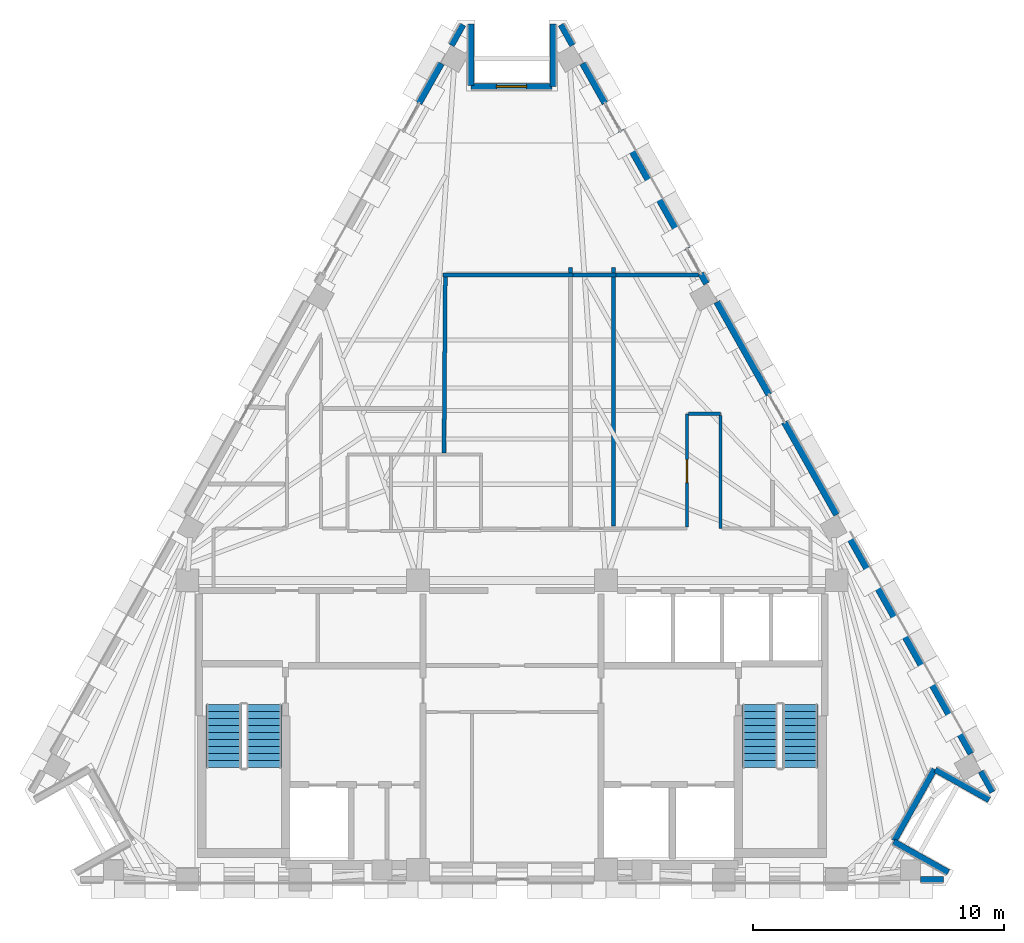
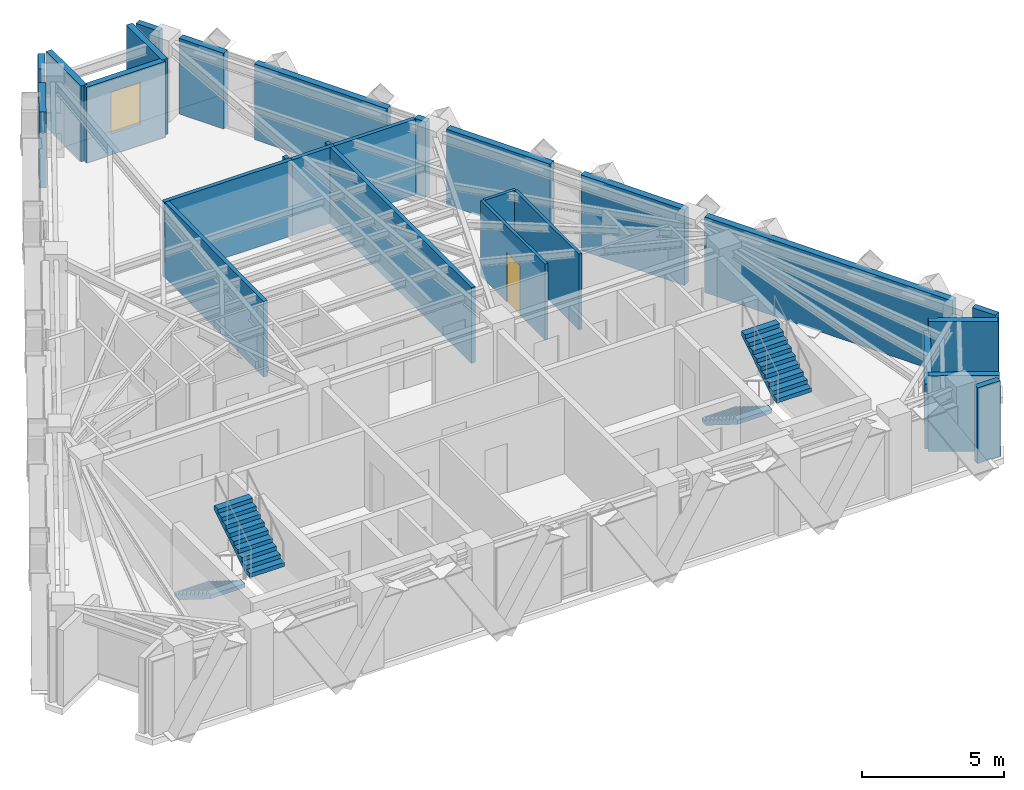
# One storey, part 7 of 9: 27 walls, 4 stair flights, 1 door, 1 window, 2 openings, 2 elements without a shape of their own.
"""IFC4 building model written with IfcOpenShell, lengths in metres."""

from ifc_helpers import new_model, si_unit, direction, frame, frame_2d, origin, place, context, subcontext, project, spatial, polyline, rectangle, outline, extrude, material, layer, layer_set, type_object, element, fill, aggregate, save


model = new_model("IFC4")

# Units and contexts
model_context = context("Model", 3, precision=1e-05, world=origin(), true_north=direction((0.0, 1.0)))
body_context = subcontext(model_context, "Body", "Model", "MODEL_VIEW")
ifc_project = project(units=[si_unit("LENGTHUNIT", "METRE"), si_unit("AREAUNIT", "SQUARE_METRE"), si_unit("VOLUMEUNIT", "CUBIC_METRE"), si_unit("PLANEANGLEUNIT", "RADIAN"), si_unit("MASSUNIT", "GRAM", prefix="KILO")], contexts=[model_context])

# Site, building, storey
site_placement = place(None, origin())
site = spatial("IfcSite", under=ifc_project, at=site_placement, CompositionType="ELEMENT")
building_placement = place(site_placement, origin())
building = spatial("IfcBuilding", under=site, at=building_placement, Name="Quenlor Broadcast Tower", CompositionType="ELEMENT")
storey_placement = place(building_placement, frame((0.0, 0.0, 249.89990234375)))
storey = spatial("IfcBuildingStorey", under=building, at=storey_placement, Name="L69", CompositionType="ELEMENT", Elevation=249.89990234375)

# Walls
ifc_material_1 = material(Name="Gypsum Fireboard Partition", Category="other")
ifc_layer_1 = layer(ifc_material_1, 0.159912109375)
ifc_layer_set_1 = layer_set([ifc_layer_1], Name="Fire Rated Shaft and Corridor Partition 160")
wall_type_1 = type_object("IfcWallType", Name="Fire Rated Shaft and Corridor Partition 160", PredefinedType="PARTITIONING", material=ifc_layer_set_1)
wall_1_placement = place(storey_placement, frame((2.427490234375, 7.389892578125, 0.0), z_axis=(0.0, 0.0, 1.0), x_axis=(-0.999999716487, 0.000753011835, 0.0)))
element("IfcWall", 1, at=wall_1_placement, inside=storey, type_object=wall_type_1, Name="L69 Interior Wall PW-DV-01", PredefinedType="PARTITIONING", context=body_context, shape_type="SweptSolid", body=[
    extrude(rectangle(XDim=5.1875, YDim=0.159912109375, at=frame_2d((2.59375, 0.0))), origin(), (0.0, 0.0, 1.0), 3.25),
])
wall_2_placement = place(storey_placement, frame((-2.66064453125, 7.3115234375, 0.0), z_axis=(0.0, 0.0, 1.0), x_axis=(-0.007477531623, -0.99997204287, 0.0)))
element("IfcWall", 2, at=wall_2_placement, inside=storey, type_object=wall_type_1, Name="L69 Interior Wall PW-DV-02", PredefinedType="PARTITIONING", context=body_context, shape_type="SweptSolid", body=[
    extrude(rectangle(XDim=7.019775390625, YDim=0.159912109375, at=frame_2d((3.509765625, 0.0))), origin(), (0.0, 0.0, 1.0), 3.25),
])
wall_3_placement = place(storey_placement, frame((4.139892578125, 7.393798828125, 0.0), z_axis=(0.0, 0.0, 1.0), x_axis=(-0.99999800286, -0.001998568457, 0.0)))
element("IfcWall", 3, at=wall_3_placement, inside=storey, type_object=wall_type_1, Name="L69 Interior Wall PW-DV-03", PredefinedType="PARTITIONING", context=body_context, shape_type="SweptSolid", body=[
    extrude(rectangle(XDim=1.710205078125, YDim=0.159912109375, at=frame_2d((0.85498046875, 0.0))), origin(), (0.0, 0.0, 1.0), 3.25),
])
wall_4_placement = place(storey_placement, frame((7.433349609375, 7.389892578125, 0.0), z_axis=(0.0, 0.0, 1.0), x_axis=(-0.999999460761, 0.001038498068, 0.0)))
element("IfcWall", 4, at=wall_4_placement, inside=storey, type_object=wall_type_1, Name="L69 Interior Wall PW-DV-04", PredefinedType="PARTITIONING", context=body_context, shape_type="SweptSolid", body=[
    extrude(rectangle(XDim=3.291259765625, YDim=0.159912109375, at=frame_2d((1.6455078125, 0.0))), origin(), (0.0, 0.0, 1.0), 3.25),
])
wall_5_placement = place(storey_placement, frame((2.32763671875, 7.679931640625, 0.0), z_axis=(0.0, 0.0, 1.0), x_axis=(0.0, -1.0, 0.0)))
element("IfcWall", 5, at=wall_5_placement, inside=storey, type_object=wall_type_1, Name="L69 Interior Wall PW-DV-07", PredefinedType="PARTITIONING", context=body_context, shape_type="SweptSolid", body=[
    extrude(rectangle(XDim=0.2080078125, YDim=0.159912109375, at=frame_2d((0.10400390625, 0.0))), origin(), (0.0, 0.0, 1.0), 3.25),
])
wall_6_placement = place(storey_placement, frame((4.0400390625, 7.679931640625, 0.0), z_axis=(0.0, 0.0, 1.0), x_axis=(0.0, -1.0, 0.0)))
element("IfcWall", 6, at=wall_6_placement, inside=storey, type_object=wall_type_1, Name="L69 Interior Wall PW-DV-09", PredefinedType="PARTITIONING", context=body_context, shape_type="SweptSolid", body=[
    extrude(rectangle(XDim=0.204345703125, YDim=0.159912109375, at=frame_2d((0.10205078125, 0.0))), origin(), (0.0, 0.0, 1.0), 3.25),
])
wall_7_placement = place(storey_placement, frame((4.0400390625, 7.3115234375, 0.0), z_axis=(0.0, 0.0, 1.0), x_axis=(0.0, -1.0, 0.0)))
element("IfcWall", 7, at=wall_7_placement, inside=storey, type_object=wall_type_1, Name="L69 Interior Wall PW-DV-09S2", PredefinedType="PARTITIONING", context=body_context, shape_type="SweptSolid", body=[
    extrude(rectangle(XDim=9.931640625, YDim=0.159912109375, at=frame_2d((4.9658203125, 0.0))), origin(), (0.0, 0.0, 1.0), 3.25),
])

# Wall, opening, door
ifc_material_2 = material(Name="Gypsum Plasterboard Partition", Category="other")
ifc_layer_2 = layer(ifc_material_2, 0.1201171875)
ifc_layer_set_2 = layer_set([ifc_layer_2], Name="Standard Office Partition 120")
wall_type_2 = type_object("IfcWallType", Name="Standard Office Partition 120", PredefinedType="PARTITIONING", material=ifc_layer_set_2)
wall_8_placement = place(storey_placement, frame((6.97998046875, -2.66796875, 0.0), z_axis=(0.0, 0.0, 1.0), x_axis=(0.0, 1.0, 0.0)))
wall_8 = element("IfcWall", 8, at=wall_8_placement, inside=storey, type_object=wall_type_2, Name="L69 Interior Wall PW-CR-09", PredefinedType="PARTITIONING", context=body_context, shape_type="SweptSolid", body=[
    extrude(rectangle(XDim=4.51806640625, YDim=0.1201171875, at=frame_2d((2.259033203125, 0.0))), origin(), (0.0, 0.0, 1.0), 3.25),
])
opening_1_placement = place(wall_8_placement, frame((1.76806640625, 0.0, 0.0)))
opening_1 = element("IfcOpeningElement", 9, at=opening_1_placement, cuts=wall_8, Name="Opening ID-1", PredefinedType="OPENING", context=body_context, shape_type="SweptSolid", body=[
    extrude(rectangle(XDim=0.919921875, YDim=2.1201171875, at=frame_2d((0.4599609375, 1.06005859375))), frame((0.0, 0.070068359375, 0.0), z_axis=(0.0, -1.0, 0.0), x_axis=(1.0, 0.0, 0.0)), (0.0, 0.0, 1.0), 0.14013671875),
])
ifc_material_3 = material(Name="Solid Core Timber Oak", Category="wood")
door_type = type_object("IfcDoorType", Name="Single Leaf Timber Office Door 920x2120", OperationType="NOTDEFINED", PredefinedType="DOOR", material=ifc_material_3)
door_placement = place(opening_1_placement, origin())
door = element("IfcDoor", 10, at=door_placement, inside=storey, type_object=door_type, Name="L69 Door DR-RM04", OperationType="SINGLE_SWING_LEFT", OverallHeight=2.1201171875, OverallWidth=0.919921875, PredefinedType="DOOR", context=body_context, shape_type="SweptSolid", body=[
    extrude(rectangle(XDim=0.919921875, YDim=2.1201171875, at=frame_2d((0.4599609375, 1.06005859375))), frame((0.0, 0.02490234375, 0.0), z_axis=(0.0, -1.0, 0.0), x_axis=(1.0, 0.0, 0.0)), (0.0, 0.0, 1.0), 0.050048828125),
])
fill(opening_1, door)

# Walls
wall_9_placement = place(storey_placement, frame((7.0419921875, 1.85009765625, 0.0), z_axis=(0.0, 0.0, 1.0), x_axis=(1.0, 0.0, 0.0)))
element("IfcWall", 11, at=wall_9_placement, inside=storey, type_object=wall_type_2, Name="L69 Interior Wall PW-CR-10", PredefinedType="PARTITIONING", context=body_context, shape_type="SweptSolid", body=[
    extrude(rectangle(XDim=1.278076171875, YDim=0.1201171875, at=frame_2d((0.63916015625, 0.0))), origin(), (0.0, 0.0, 1.0), 3.25),
])
wall_10_placement = place(storey_placement, frame((8.320068359375, 1.7880859375, 0.0), z_axis=(0.0, 0.0, 1.0), x_axis=(0.0, -1.0, 0.0)))
element("IfcWall", 12, at=wall_10_placement, inside=storey, type_object=wall_type_2, Name="L69 Interior Wall PW-CR-11", PredefinedType="PARTITIONING", context=body_context, shape_type="SweptSolid", body=[
    extrude(rectangle(XDim=4.51806640625, YDim=0.1201171875, at=frame_2d((2.259033203125, 0.0))), origin(), (0.0, 0.0, 1.0), 3.25),
])
ifc_material_4 = material(Name="Precast concrete C40/50", Category="concrete")
ifc_layer_3 = layer(ifc_material_4, 0.239990234375)
ifc_layer_set_3 = layer_set([ifc_layer_3], Name="Terrace Threshold Precast Concrete C40/50 Wall 240")
wall_type_3 = type_object("IfcWallType", Name="Terrace Threshold Precast Concrete C40/50 Wall 240", PredefinedType="STANDARD", material=ifc_layer_set_3)
wall_11_placement = place(storey_placement, frame((17.219970703125, -16.72509765625, 0.0), z_axis=(0.0, 0.0, 1.0), x_axis=(-1.0, 0.0, 0.0)))
element("IfcWall", 13, at=wall_11_placement, inside=storey, type_object=wall_type_3, Name="L69 Exterior Wall L69-SHD-SS0", PredefinedType="STANDARD", context=body_context, shape_type="SweptSolid", body=[
    extrude(rectangle(XDim=0.91748046875, YDim=0.239990234375, at=frame_2d((0.458740234375, 0.0))), origin(), (0.0, 0.0, 1.0), 3.25),
])
for number, where, z_axis, x_axis, name in (
    (14, (1.94970703125, 17.372802734375, 0.0), (0.0, 0.0, 1.0), (0.490199895283, -0.871610040479, 0.0), "L69 Exterior Wall L69-SHD-NES0"),
    (15, (18.707763671875, -12.4189453125, 0.0), (0.0, 0.0, 1.0), (0.490199895283, -0.871610040479, 0.0), "L69 Exterior Wall L69-SHD-NES1"),
    (16, (-2.412841796875, 16.54931640625, 0.0), (0.0, 0.0, 1.0), (0.490199895283, 0.871610040479, 0.0), "L69 Exterior Wall L69-SHD-NWS1"),
):
    element("IfcWall", number, at=place(storey_placement, frame(where, z_axis=z_axis, x_axis=x_axis)), inside=storey, type_object=wall_type_3, Name=name, PredefinedType="STANDARD", context=body_context, shape_type="SweptSolid", body=[
        extrude(rectangle(XDim=0.94482421875, YDim=0.239990234375, at=frame_2d((0.472412109375, 0.0))), origin(), (0.0, 0.0, 1.0), 3.25),
    ])
wall_12_placement = place(storey_placement, frame((17.40771484375, -16.446533203125, 0.0), z_axis=(0.0, 0.0, 1.0), x_axis=(-0.871588577066, 0.490238056792, 0.0)))
element("IfcWall", 17, at=wall_12_placement, inside=storey, type_object=wall_type_3, Name="L69 Exterior Wall L69-CNR-01", PredefinedType="STANDARD", context=body_context, shape_type="SweptSolid", body=[
    extrude(rectangle(XDim=2.5, YDim=0.239990234375, at=frame_2d((1.25, 0.0))), origin(), (0.0, 0.0, 1.0), 3.25),
])
wall_13_placement = place(storey_placement, frame((15.248291015625, -15.18603515625, 0.0), z_axis=(0.0, 0.0, 1.0), x_axis=(0.490293083368, 0.871557624258, 0.0)))
element("IfcWall", 18, at=wall_13_placement, inside=storey, type_object=wall_type_3, Name="L69 Exterior Wall L69-CNR-02", PredefinedType="STANDARD", context=body_context, shape_type="SweptSolid", body=[
    extrude(rectangle(XDim=3.276123046875, YDim=0.239990234375, at=frame_2d((1.63818359375, 0.0))), origin(), (0.0, 0.0, 1.0), 2.789794921875),
])
wall_14_placement = place(storey_placement, frame((16.889404296875, -12.350341796875, 0.0), z_axis=(0.0, 0.0, 1.0), x_axis=(0.87157023615, -0.490270663468, 0.0)))
element("IfcWall", 19, at=wall_14_placement, inside=storey, type_object=wall_type_3, Name="L69 Exterior Wall L69-CNR-03", PredefinedType="STANDARD", context=body_context, shape_type="SweptSolid", body=[
    extrude(rectangle(XDim=2.4599609375, YDim=0.239990234375, at=frame_2d((1.22998046875, 0.0))), origin(), (0.0, 0.0, 1.0), 3.25),
])
wall_15_placement = place(storey_placement, frame((1.62890625, 17.39990234375, 0.0), z_axis=(0.0, 0.0, 1.0), x_axis=(0.0, -1.0, 0.0)))
element("IfcWall", 20, at=wall_15_placement, inside=storey, type_object=wall_type_3, Name="L69 Exterior Wall L69-CNR-07", PredefinedType="STANDARD", context=body_context, shape_type="SweptSolid", body=[
    extrude(rectangle(XDim=2.5, YDim=0.239990234375, at=frame_2d((1.25, 0.0))), origin(), (0.0, 0.0, 1.0), 3.25),
])

# Wall, opening, window
wall_16_placement = place(storey_placement, frame((1.5888671875, 14.89990234375, 0.0), z_axis=(0.0, 0.0, 1.0), x_axis=(-1.0, 0.0, 0.0)))
wall_16 = element("IfcWall", 21, at=wall_16_placement, inside=storey, type_object=wall_type_3, Name="L69 Exterior Wall L69-CNR-08", PredefinedType="STANDARD", context=body_context, shape_type="SweptSolid", body=[
    extrude(rectangle(XDim=3.2177734375, YDim=0.239990234375, at=frame_2d((1.60888671875, 0.0))), origin(), (0.0, 0.0, 1.0), 3.25),
])
opening_2_placement = place(wall_16_placement, frame((1.009033203125, 0.0, 0.89990234375)))
opening_2 = element("IfcOpeningElement", 22, at=opening_2_placement, cuts=wall_16, Name="Opening WN-5", PredefinedType="OPENING", context=body_context, shape_type="SweptSolid", body=[
    extrude(rectangle(XDim=1.199951171875, YDim=1.800048828125, at=frame_2d((0.60009765625, 0.89990234375))), frame((0.0, 0.1298828125, 0.0), z_axis=(0.0, -1.0, 0.0), x_axis=(1.0, 0.0, 0.0)), (0.0, 0.0, 1.0), 0.260009765625),
])
ifc_material_5 = material(Name="Thermally Broken Aluminium and Low-E Glass", Category="aluminium")
window_type = type_object("IfcWindowType", Name="Corner Chamfer Punched Window 1200x1800", PartitioningType="SINGLE_PANEL", PredefinedType="WINDOW", material=ifc_material_5)
window_placement = place(opening_2_placement, origin())
window = element("IfcWindow", 23, at=window_placement, inside=storey, type_object=window_type, Name="L69 Corner Chamfer Window 8", OverallHeight=1.800048828125, OverallWidth=1.199951171875, PartitioningType="SINGLE_PANEL", PredefinedType="WINDOW", context=body_context, shape_type="SweptSolid", body=[
    extrude(rectangle(XDim=1.199951171875, YDim=1.800048828125, at=frame_2d((0.60009765625, 0.89990234375))), frame((0.0, 0.030029296875, 0.0), z_axis=(0.0, -1.0, 0.0), x_axis=(1.0, 0.0, 0.0)), (0.0, 0.0, 1.0), 0.06005859375),
])
fill(opening_2, window)

# Walls
wall_17_placement = place(storey_placement, frame((-1.62890625, 14.93994140625, 0.0), z_axis=(0.0, 0.0, 1.0), x_axis=(0.0, 1.0, 0.0)))
element("IfcWall", 24, at=wall_17_placement, inside=storey, type_object=wall_type_3, Name="L69 Exterior Wall L69-CNR-09", PredefinedType="STANDARD", context=body_context, shape_type="SweptSolid", body=[
    extrude(rectangle(XDim=2.4599609375, YDim=0.239990234375, at=frame_2d((1.22998046875, 0.0))), origin(), (0.0, 0.0, 1.0), 3.25),
])
ifc_material_6 = material(Name="Precast concrete C40/50", Category="concrete")
ifc_layer_4 = layer(ifc_material_6, 0.260009765625)
ifc_layer_set_4 = layer_set([ifc_layer_4], Name="Terracotta Precast Concrete C40/50 Upper Wall 260")
wall_type_4 = type_object("IfcWallType", Name="Terracotta Precast Concrete C40/50 Upper Wall 260", PredefinedType="STANDARD", material=ifc_layer_set_4)
wall_18_placement = place(storey_placement, frame((2.81982421875, 15.825927734375, 0.0), z_axis=(0.0, 0.0, 1.0), x_axis=(0.490261239633, -0.871575537125, 0.0)))
element("IfcWall", 25, at=wall_18_placement, inside=storey, type_object=wall_type_4, Name="L69 Exterior Wall L69-NEA-SP1", PredefinedType="STANDARD", context=body_context, shape_type="SweptSolid", body=[
    extrude(rectangle(XDim=1.819580078125, YDim=0.260009765625, at=frame_2d((0.90966796875, 0.0))), origin(), (0.0, 0.0, 1.0), 3.25),
])
wall_19_placement = place(storey_placement, frame((4.329833984375, 13.1416015625, 0.0), z_axis=(0.0, 0.0, 1.0), x_axis=(0.490265525523, -0.871573126297, 0.0)))
element("IfcWall", 26, at=wall_19_placement, inside=storey, type_object=wall_type_4, Name="L69 Exterior Wall L69-NEA-SP2", PredefinedType="STANDARD", context=body_context, shape_type="SweptSolid", body=[
    extrude(rectangle(XDim=5.408935546875, YDim=0.260009765625, at=frame_2d((2.70458984375, 0.0))), origin(), (0.0, 0.0, 1.0), 3.25),
])
wall_20_placement = place(storey_placement, frame((7.534423828125, 7.444580078125, 0.0), z_axis=(0.0, 0.0, 1.0), x_axis=(0.490412424957, -0.871490478116, 0.0)))
element("IfcWall", 27, at=wall_20_placement, inside=storey, type_object=wall_type_4, Name="L69 Exterior Wall L69-NEA-SP3", PredefinedType="STANDARD", context=body_context, shape_type="SweptSolid", body=[
    extrude(rectangle(XDim=0.4599609375, YDim=0.260009765625, at=frame_2d((0.22998046875, 0.0))), origin(), (0.0, 0.0, 1.0), 3.25),
])
wall_21_placement = place(storey_placement, frame((13.350830078125, -2.895751953125, 0.0), z_axis=(0.0, 0.0, 1.0), x_axis=(0.490266968583, -0.871572314565, 0.0)))
element("IfcWall", 28, at=wall_21_placement, inside=storey, type_object=wall_type_4, Name="L69 Exterior Wall L69-EW-NEC", PredefinedType="STANDARD", context=body_context, shape_type="SweptSolid", body=[
    extrude(rectangle(XDim=10.116455078125, YDim=0.260009765625, at=frame_2d((5.05810546875, 0.0))), origin(), (0.0, 0.0, 1.0), 3.25),
])
wall_22_placement = place(storey_placement, frame((8.17431640625, 6.30712890625, 0.0), z_axis=(0.0, 0.0, 1.0), x_axis=(0.490269447258, -0.871570920284, 0.0)))
element("IfcWall", 29, at=wall_22_placement, inside=storey, type_object=wall_type_4, Name="L69 Exterior Wall L69-NE-SP1", PredefinedType="STANDARD", context=body_context, shape_type="SweptSolid", body=[
    extrude(rectangle(XDim=4.23681640625, YDim=0.260009765625, at=frame_2d((2.118408203125, 0.0))), origin(), (0.0, 0.0, 1.0), 3.25),
])
wall_23_placement = place(storey_placement, frame((10.869140625, 1.51611328125, 0.0), z_axis=(0.0, 0.0, 1.0), x_axis=(0.490244825075, -0.871584770109, 0.0)))
element("IfcWall", 30, at=wall_23_placement, inside=storey, type_object=wall_type_4, Name="L69 Exterior Wall L69-NE-SP2", PredefinedType="STANDARD", context=body_context, shape_type="SweptSolid", body=[
    extrude(rectangle(XDim=4.237060546875, YDim=0.260009765625, at=frame_2d((2.11865234375, 0.0))), origin(), (0.0, 0.0, 1.0), 3.25),
])
wall_24_placement = place(storey_placement, frame((-3.7119140625, 14.239990234375, 0.0), z_axis=(0.0, 0.0, 1.0), x_axis=(0.490261239633, 0.871575537125, 0.0)))
element("IfcWall", 31, at=wall_24_placement, inside=storey, type_object=wall_type_4, Name="L69 Exterior Wall L69-NWC-SP3", PredefinedType="STANDARD", context=body_context, shape_type="SweptSolid", body=[
    extrude(rectangle(XDim=1.819580078125, YDim=0.260009765625, at=frame_2d((0.90966796875, 0.0))), origin(), (0.0, 0.0, 1.0), 3.25),
])

# Stair, stair flights
ifc_material_7 = material(Name="Precast concrete C40/50", Category="concrete")
stair_type = type_object("IfcStairType", Name="Precast Concrete C40/50 Dogleg Stair H350", PredefinedType="HALF_TURN_STAIR", material=ifc_material_7)
stair_1_placement = place(storey_placement, origin())
stair_1 = element("IfcStair", 32, at=stair_1_placement, inside=storey, type_object=stair_type, Name="L69 West Core Fire-Isolated Exit Stair ST-1", PredefinedType="HALF_TURN_STAIR")
ifc_material_8 = material(Name="Precast concrete C40/50", Category="concrete")
ifc_layer_5 = layer(ifc_material_8, 0.159912109375)
ifc_layer_set_5 = layer_set([ifc_layer_5], Name="Precast Concrete C40/50 Stair Flight H350")
stair_flight_type = type_object("IfcStairFlightType", Name="Precast Concrete C40/50 Stair Flight H350", PredefinedType="STRAIGHT", material=ifc_layer_set_5)
stair_flight_1_placement = place(storey_placement, frame((-11.5, -9.75, 0.0), z_axis=(0.0, 0.0, 1.0), x_axis=(0.0, -1.0, 0.0)))
stair_flight_1 = element("IfcStairFlight", 33, at=stair_flight_1_placement, type_object=stair_flight_type, Name="ST-1 flight 1", NumberOfRisers=10, NumberOfTreads=9, PredefinedType="STRAIGHT", RiserHeight=0.175, TreadLength=0.28, context=body_context, shape_type="SweptSolid", body=[
    extrude(outline(polyline([(0.0, 0.0), (0.0, 0.175048828125), (0.280029296875, 0.175048828125), (0.280029296875, 0.35009765625), (0.56005859375, 0.35009765625), (0.56005859375, 0.52490234375), (0.840087890625, 0.52490234375), (0.840087890625, 0.699951171875), (1.1201171875, 0.699951171875), (1.1201171875, 0.875), (1.39990234375, 0.875), (1.39990234375, 1.050048828125), (1.679931640625, 1.050048828125), (1.679931640625, 1.22509765625), (1.9599609375, 1.22509765625), (1.9599609375, 1.39990234375), (2.239990234375, 1.39990234375), (2.239990234375, 1.574951171875), (2.52001953125, 1.574951171875), (2.52001953125, 1.75), (2.52001953125, 1.398193359375), (0.28271484375, 0.0), (0.0, 0.0)])), frame((0.0, 0.699951171875, 0.0), z_axis=(0.0, -1.0, 0.0), x_axis=(1.0, 0.0, 0.0)), (0.0, 0.0, 1.0), 1.39990234375),
])
stair_flight_2_placement = place(storey_placement, frame((-9.89990234375, -12.27001953125, 1.75), z_axis=(0.0, 0.0, 1.0), x_axis=(0.0, 1.0, 0.0)))
stair_flight_2 = element("IfcStairFlight", 34, at=stair_flight_2_placement, type_object=stair_flight_type, Name="ST-1 flight 2", NumberOfRisers=10, NumberOfTreads=9, PredefinedType="STRAIGHT", RiserHeight=0.175, TreadLength=0.28, context=body_context, shape_type="SweptSolid", body=[
    extrude(outline(polyline([(0.0, 0.0), (0.0, 0.175048828125), (0.280029296875, 0.175048828125), (0.280029296875, 0.35009765625), (0.56005859375, 0.35009765625), (0.56005859375, 0.52490234375), (0.840087890625, 0.52490234375), (0.840087890625, 0.699951171875), (1.1201171875, 0.699951171875), (1.1201171875, 0.875), (1.39990234375, 0.875), (1.39990234375, 1.050048828125), (1.679931640625, 1.050048828125), (1.679931640625, 1.22509765625), (1.9599609375, 1.22509765625), (1.9599609375, 1.39990234375), (2.239990234375, 1.39990234375), (2.239990234375, 1.574951171875), (2.52001953125, 1.574951171875), (2.52001953125, 1.75), (2.52001953125, 1.398193359375), (0.28271484375, 0.0), (0.0, 0.0)])), frame((0.0, 0.699951171875, 0.0), z_axis=(0.0, -1.0, 0.0), x_axis=(1.0, 0.0, 0.0)), (0.0, 0.0, 1.0), 1.39990234375),
])
aggregate(stair_1, [stair_flight_1, stair_flight_2])

stair_2_placement = place(storey_placement, origin())
stair_2 = element("IfcStair", 35, at=stair_2_placement, inside=storey, type_object=stair_type, Name="L69 East Core Fire-Isolated Exit Stair ST-2", PredefinedType="HALF_TURN_STAIR")
stair_flight_3_placement = place(storey_placement, frame((9.89990234375, -9.75, 0.0), z_axis=(0.0, 0.0, 1.0), x_axis=(0.0, -1.0, 0.0)))
stair_flight_3 = element("IfcStairFlight", 36, at=stair_flight_3_placement, type_object=stair_flight_type, Name="ST-2 flight 1", NumberOfRisers=10, NumberOfTreads=9, PredefinedType="STRAIGHT", RiserHeight=0.175, TreadLength=0.28, context=body_context, shape_type="SweptSolid", body=[
    extrude(outline(polyline([(0.0, 0.0), (0.0, 0.175048828125), (0.280029296875, 0.175048828125), (0.280029296875, 0.35009765625), (0.56005859375, 0.35009765625), (0.56005859375, 0.52490234375), (0.840087890625, 0.52490234375), (0.840087890625, 0.699951171875), (1.1201171875, 0.699951171875), (1.1201171875, 0.875), (1.39990234375, 0.875), (1.39990234375, 1.050048828125), (1.679931640625, 1.050048828125), (1.679931640625, 1.22509765625), (1.9599609375, 1.22509765625), (1.9599609375, 1.39990234375), (2.239990234375, 1.39990234375), (2.239990234375, 1.574951171875), (2.52001953125, 1.574951171875), (2.52001953125, 1.75), (2.52001953125, 1.398193359375), (0.28271484375, 0.0), (0.0, 0.0)])), frame((0.0, 0.699951171875, 0.0), z_axis=(0.0, -1.0, 0.0), x_axis=(1.0, 0.0, 0.0)), (0.0, 0.0, 1.0), 1.39990234375),
])
stair_flight_4_placement = place(storey_placement, frame((11.5, -12.27001953125, 1.75), z_axis=(0.0, 0.0, 1.0), x_axis=(0.0, 1.0, 0.0)))
stair_flight_4 = element("IfcStairFlight", 37, at=stair_flight_4_placement, type_object=stair_flight_type, Name="ST-2 flight 2", NumberOfRisers=10, NumberOfTreads=9, PredefinedType="STRAIGHT", RiserHeight=0.175, TreadLength=0.28, context=body_context, shape_type="SweptSolid", body=[
    extrude(outline(polyline([(0.0, 0.0), (0.0, 0.175048828125), (0.280029296875, 0.175048828125), (0.280029296875, 0.35009765625), (0.56005859375, 0.35009765625), (0.56005859375, 0.52490234375), (0.840087890625, 0.52490234375), (0.840087890625, 0.699951171875), (1.1201171875, 0.699951171875), (1.1201171875, 0.875), (1.39990234375, 0.875), (1.39990234375, 1.050048828125), (1.679931640625, 1.050048828125), (1.679931640625, 1.22509765625), (1.9599609375, 1.22509765625), (1.9599609375, 1.39990234375), (2.239990234375, 1.39990234375), (2.239990234375, 1.574951171875), (2.52001953125, 1.574951171875), (2.52001953125, 1.75), (2.52001953125, 1.398193359375), (0.28271484375, 0.0), (0.0, 0.0)])), frame((0.0, 0.699951171875, 0.0), z_axis=(0.0, -1.0, 0.0), x_axis=(1.0, 0.0, 0.0)), (0.0, 0.0, 1.0), 1.39990234375),
])
aggregate(stair_2, [stair_flight_3, stair_flight_4])

save(model, "model.ifc")
